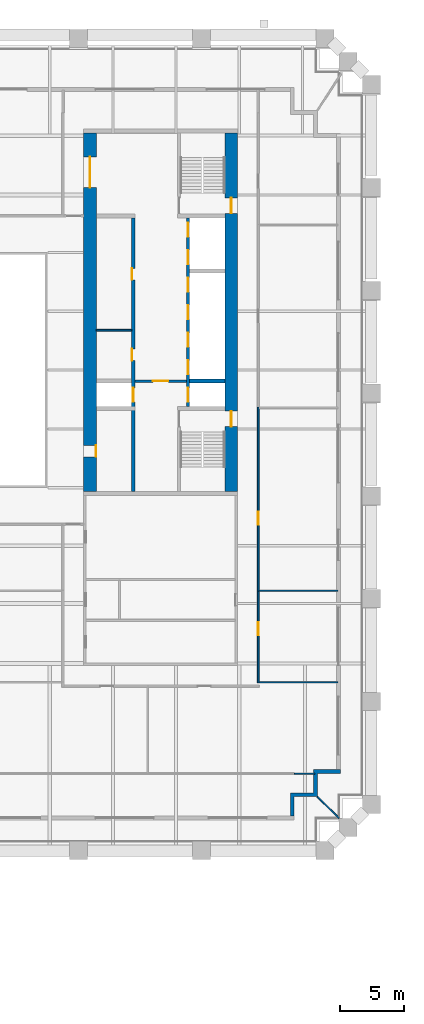
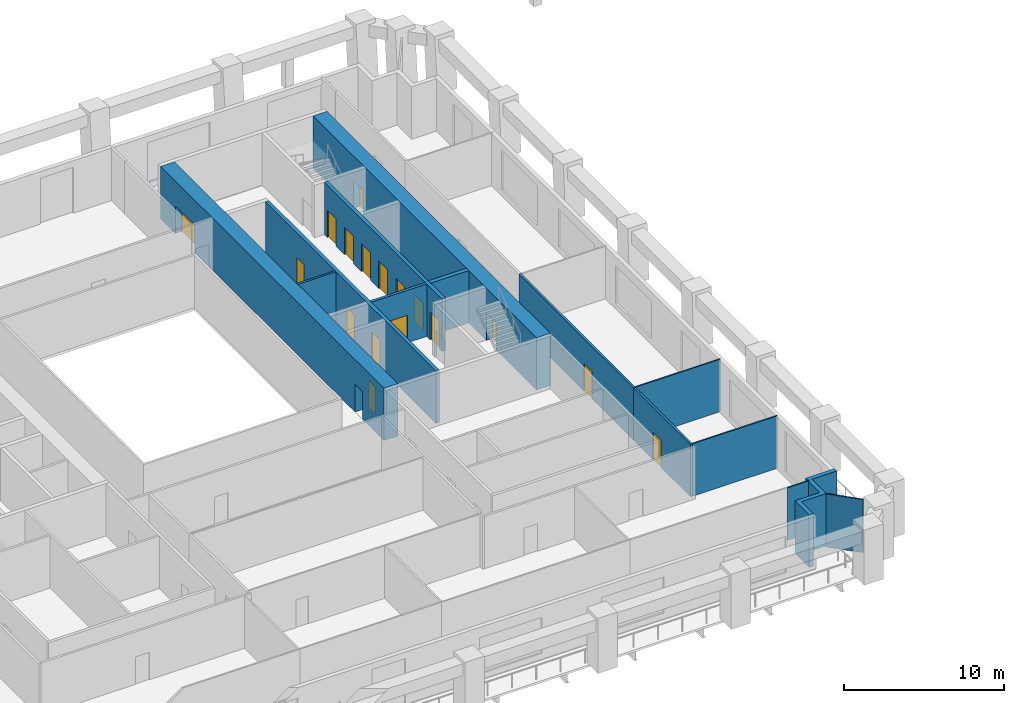
# One storey, part 6 of 10: 17 doors, 14 walls, 17 openings.
"""IFC4 building model written with IfcOpenShell, lengths in metres."""

from ifc_helpers import new_model, si_unit, direction, frame, frame_2d, origin, place, context, subcontext, project, spatial, polyline, rectangle, outline, extrude, material, layer, layer_set, type_object, element, fill, save


model = new_model("IFC4")

# Units and contexts
model_context = context("Model", 3, precision=1e-05, world=origin(), true_north=direction((0.0, 1.0)))
body_context = subcontext(model_context, "Body", "Model", "MODEL_VIEW")
ifc_project = project(units=[si_unit("LENGTHUNIT", "METRE"), si_unit("AREAUNIT", "SQUARE_METRE"), si_unit("VOLUMEUNIT", "CUBIC_METRE"), si_unit("PLANEANGLEUNIT", "RADIAN"), si_unit("MASSUNIT", "GRAM", prefix="KILO")], contexts=[model_context])

# Site, building, storey
site_placement = place(None, origin())
site = spatial("IfcSite", under=ifc_project, at=site_placement, CompositionType="ELEMENT")
building_placement = place(site_placement, origin())
building = spatial("IfcBuilding", under=site, at=building_placement, Name="Ogive Exchange Tower", CompositionType="ELEMENT")
storey_placement = place(building_placement, frame((0.0, 0.0, 48.0)))
storey = spatial("IfcBuildingStorey", under=building, at=storey_placement, Name="L09", CompositionType="ELEMENT", Elevation=48.0)

# Wall
ifc_material_1 = material(Name="Gypsum board partition")
ifc_layer_1 = layer(ifc_material_1, 0.14990234375)
ifc_layer_set_1 = layer_set([ifc_layer_1], Name="Core room partition 150 gypsum")
wall_type_1 = type_object("IfcWallType", Name="Core room partition 150 gypsum", PredefinedType="PARTITIONING", material=ifc_layer_set_1)
wall_1_placement = place(storey_placement, frame((11.0, 10.10009765625, 0.0), z_axis=(0.0, 0.0, 1.0), x_axis=(1.0, 0.0, 0.0)))
element("IfcWall", 1, at=wall_1_placement, inside=storey, type_object=wall_type_1, Name="E row B bay partition 1-1", PredefinedType="PARTITIONING", context=body_context, shape_type="SweptSolid", body=[
    extrude(rectangle(XDim=2.75, YDim=0.14990234375, at=frame_2d((1.375, 0.0))), origin(), (0.0, 0.0, 1.0), 4.0),
])

# Wall, opening, door
ifc_material_2 = material(Name="Fire partition EI 60 150")
ifc_layer_2 = layer(ifc_material_2, 0.14990234375)
ifc_layer_set_2 = layer_set([ifc_layer_2], Name="Fire partition EI 60 150")
wall_type_2 = type_object("IfcWallType", Name="Fire partition EI 60 150", PredefinedType="PARTITIONING", material=ifc_layer_set_2)
wall_2_placement = place(storey_placement, frame((23.60009765625, -10.219970703125, 0.0), z_axis=(0.0, 0.0, 1.0), x_axis=(0.0, -1.0, 0.0)))
wall_2 = element("IfcWall", 2, at=wall_2_placement, inside=storey, type_object=wall_type_2, Name="L09-PWL-038", PredefinedType="PARTITIONING", context=body_context, shape_type="SweptSolid", body=[
    extrude(rectangle(XDim=7.1201171875, YDim=0.14990234375, at=frame_2d((3.56005859375, 0.0))), origin(), (0.0, 0.0, 1.0), 4.0),
])
opening_1_placement = place(wall_2_placement, frame((2.419921875, 0.0, 0.0)))
opening_1 = element("IfcOpeningElement", 3, at=opening_1_placement, cuts=wall_2, Name="Opening L09-I15", PredefinedType="OPENING", context=body_context, shape_type="SweptSolid", body=[
    extrude(rectangle(XDim=1.0, YDim=2.10009765625, at=frame_2d((0.5, 1.050048828125))), frame((0.0, 0.0849609375, 0.0), z_axis=(0.0, -1.0, 0.0), x_axis=(1.0, 0.0, 0.0)), (0.0, 0.0, 1.0), 0.169921875),
])
ifc_material_3 = material(Name="Fire door FD 30S 1000 x 2100")
door_type_1 = type_object("IfcDoorType", Name="Fire door FD 30S 1000 x 2100", OperationType="NOTDEFINED", PredefinedType="DOOR", material=ifc_material_3)
door_1_placement = place(opening_1_placement, origin())
door_1 = element("IfcDoor", 4, at=door_1_placement, inside=storey, type_object=door_type_1, Name="L09-IDR-015", ObjectType="DT3", OperationType="SINGLE_SWING_RIGHT", OverallHeight=2.10009765625, OverallWidth=1.0, PredefinedType="DOOR", context=body_context, shape_type="SweptSolid", body=[
    extrude(rectangle(XDim=1.0, YDim=2.10009765625, at=frame_2d((0.5, 1.050048828125))), frame((0.0, 0.02490234375, 0.0), z_axis=(0.0, -1.0, 0.0), x_axis=(1.0, 0.0, 0.0)), (0.0, 0.0, 1.0), 0.050048828125),
])
fill(opening_1, door_1)

wall_3_placement = place(storey_placement, frame((23.60009765625, 4.110107421875, 0.0), z_axis=(0.0, 0.0, 1.0), x_axis=(0.0, -1.0, 0.0)))
wall_3 = element("IfcWall", 5, at=wall_3_placement, inside=storey, type_object=wall_type_2, Name="L09-PWL-039", PredefinedType="PARTITIONING", context=body_context, shape_type="SweptSolid", body=[
    extrude(rectangle(XDim=14.330078125, YDim=0.14990234375, at=frame_2d((7.1650390625, 0.0))), origin(), (0.0, 0.0, 1.0), 4.0),
])
opening_2_placement = place(wall_3_placement, frame((8.1298828125, 0.0, 0.0)))
opening_2 = element("IfcOpeningElement", 6, at=opening_2_placement, cuts=wall_3, Name="Opening L09-I05", PredefinedType="OPENING", context=body_context, shape_type="SweptSolid", body=[
    extrude(rectangle(XDim=1.0, YDim=2.10009765625, at=frame_2d((0.5, 1.050048828125))), frame((0.0, 0.0849609375, 0.0), z_axis=(0.0, -1.0, 0.0), x_axis=(1.0, 0.0, 0.0)), (0.0, 0.0, 1.0), 0.169921875),
])
door_2_placement = place(opening_2_placement, origin())
door_2 = element("IfcDoor", 7, at=door_2_placement, inside=storey, type_object=door_type_1, Name="L09-IDR-005", ObjectType="DT3", OperationType="SINGLE_SWING_LEFT", OverallHeight=2.10009765625, OverallWidth=1.0, PredefinedType="DOOR", context=body_context, shape_type="SweptSolid", body=[
    extrude(rectangle(XDim=1.0, YDim=2.10009765625, at=frame_2d((0.5, 1.050048828125))), frame((0.0, 0.02490234375, 0.0), z_axis=(0.0, -1.0, 0.0), x_axis=(1.0, 0.0, 0.0)), (0.0, 0.0, 1.0), 0.050048828125),
])
fill(opening_2, door_2)

# Walls
ifc_material_4 = material(Name="Precast concrete C40/50", Category="concrete")
ifc_layer_3 = layer(ifc_material_4, 0.300048828125)
ifc_layer_set_3 = layer_set([ifc_layer_3], Name="Limestone-faced wall 300")
wall_type_3 = type_object("IfcWallType", Name="Limestone-faced wall 300", PredefinedType="STANDARD", material=ifc_layer_set_3)
wall_4_placement = place(storey_placement, origin())
element("IfcWall", 8, at=wall_4_placement, inside=storey, type_object=wall_type_3, Name="External corner wall C1", PredefinedType="STANDARD", context=body_context, shape_type="SweptSolid", body=[
    extrude(outline(polyline([(27.89990234375, -25.89990234375), (27.89990234375, -24.10009765625), (30.0, -24.10009765625), (30.0, -24.39990234375), (28.199951171875, -24.39990234375), (28.199951171875, -26.199951171875), (26.39990234375, -26.199951171875), (26.39990234375, -27.699951171875), (26.10009765625, -27.699951171875), (26.10009765625, -25.89990234375), (27.89990234375, -25.89990234375)])), origin(), (0.0, 0.0, 1.0), 4.0),
])
ifc_material_5 = material(Name="Laminated safety glass in steel frame", Category="steel")
ifc_layer_4 = layer(ifc_material_5, 0.10009765625)
ifc_layer_set_4 = layer_set([ifc_layer_4], Name="Loggia end screen 100")
wall_type_4 = type_object("IfcWallType", Name="Loggia end screen 100", PredefinedType="STANDARD", material=ifc_layer_set_4)
wall_5_placement = place(storey_placement, frame((28.199951171875, -26.199951171875, -0.050048828125), z_axis=(0.0, 0.0, 1.0), x_axis=(0.707106781187, -0.707106781187, 0.0)))
element("IfcWall", 9, at=wall_5_placement, inside=storey, type_object=wall_type_4, Name="Loggia end screen C1", PredefinedType="STANDARD", context=body_context, shape_type="SweptSolid", body=[
    extrude(rectangle(XDim=2.384521484375, YDim=0.10009765625, at=frame_2d((1.1923828125, 0.0))), origin(), (0.0, 0.0, 1.0), 4.050048828125),
])
ifc_material_6 = material(Name="Partition 100 gypsum")
ifc_layer_5 = layer(ifc_material_6, 0.10009765625)
ifc_layer_set_5 = layer_set([ifc_layer_5], Name="Partition 100 gypsum")
wall_type_5 = type_object("IfcWallType", Name="Partition 100 gypsum", PredefinedType="PARTITIONING", material=ifc_layer_set_5)
wall_6_placement = place(storey_placement, frame((26.409912109375, -24.409912109375, 0.0), z_axis=(0.0, 0.0, 1.0), x_axis=(1.0, 0.0, 0.0)))
element("IfcWall", 10, at=wall_6_placement, inside=storey, type_object=wall_type_5, Name="L09-PWL-044", PredefinedType="PARTITIONING", context=body_context, shape_type="SweptSolid", body=[
    extrude(rectangle(XDim=1.590087890625, YDim=0.10009765625, at=frame_2d((0.794921875, 0.0))), origin(), (0.0, 0.0, 1.0), 4.0),
])
for number, where, z_axis, x_axis, name in (
    (11, (29.800048828125, -17.2900390625, 0.0), (0.0, 0.0, 1.0), (-1.0, 0.0, 0.0), "L09-PWL-045"),
    (12, (29.800048828125, -10.169921875, 0.0), (0.0, 0.0, 1.0), (-1.0, 0.0, 0.0), "L09-PWL-046"),
):
    element("IfcWall", number, at=place(storey_placement, frame(where, z_axis=z_axis, x_axis=x_axis)), inside=storey, type_object=wall_type_5, Name=name, PredefinedType="PARTITIONING", context=body_context, shape_type="SweptSolid", body=[
        extrude(rectangle(XDim=6.125, YDim=0.10009765625, at=frame_2d((3.0625, 0.0))), origin(), (0.0, 0.0, 1.0), 4.0),
    ])

# Wall, openings, doors
ifc_material_7 = material(Name="Concrete C70/85", Category="concrete")
ifc_layer_6 = layer(ifc_material_7, 1.0)
ifc_layer_set_6 = layer_set([ifc_layer_6], Name="RC core wall 1000 C70/85")
wall_type_6 = type_object("IfcWallType", Name="RC core wall 1000 C70/85", PredefinedType="SHEAR", material=ifc_layer_set_6)
wall_7_placement = place(storey_placement, frame((21.5, -2.449951171875, 0.0), z_axis=(0.0, 0.0, 1.0), x_axis=(0.0, 1.0, 0.0)))
wall_7 = element("IfcWall", 13, at=wall_7_placement, inside=storey, type_object=wall_type_6, Name="E outer wall", PredefinedType="SHEAR", context=body_context, shape_type="SweptSolid", body=[
    extrude(rectangle(XDim=27.89990234375, YDim=1.0, at=frame_2d((13.949951171875, 0.0))), origin(), (0.0, 0.0, 1.0), 4.0),
])
opening_3_placement = place(wall_7_placement, frame((5.050048828125, 0.0, 0.0)))
opening_3 = element("IfcOpeningElement", 14, at=opening_3_placement, cuts=wall_7, Name="Opening L09-C36", PredefinedType="OPENING", context=body_context, shape_type="SweptSolid", body=[
    extrude(rectangle(XDim=1.199951171875, YDim=2.10009765625, at=frame_2d((0.60009765625, 1.050048828125))), frame((0.0, 0.510009765625, 0.0), z_axis=(0.0, -1.0, 0.0), x_axis=(1.0, 0.0, 0.0)), (0.0, 0.0, 1.0), 1.02001953125),
])
opening_4_placement = place(wall_7_placement, frame((21.64990234375, 0.0, 0.0)))
opening_4 = element("IfcOpeningElement", 15, at=opening_4_placement, cuts=wall_7, Name="Opening L09-C38", PredefinedType="OPENING", context=body_context, shape_type="SweptSolid", body=[
    extrude(rectangle(XDim=1.199951171875, YDim=2.10009765625, at=frame_2d((0.60009765625, 1.050048828125))), frame((0.0, 0.510009765625, 0.0), z_axis=(0.0, -1.0, 0.0), x_axis=(1.0, 0.0, 0.0)), (0.0, 0.0, 1.0), 1.02001953125),
])
ifc_material_8 = material(Name="Steel fire door", Category="steel")
door_type_2 = type_object("IfcDoorType", Name="Stair door FD90 1200 x 2100", OperationType="NOTDEFINED", PredefinedType="DOOR", material=ifc_material_8)
door_3_placement = place(opening_3_placement, origin())
door_3 = element("IfcDoor", 16, at=door_3_placement, inside=storey, type_object=door_type_2, Name="Stair door", ObjectType="CD5", OperationType="SINGLE_SWING_LEFT", OverallHeight=2.10009765625, OverallWidth=1.199951171875, PredefinedType="DOOR", context=body_context, shape_type="SweptSolid", body=[
    extrude(rectangle(XDim=1.199951171875, YDim=2.10009765625, at=frame_2d((0.60009765625, 1.050048828125))), frame((0.0, 0.02490234375, 0.0), z_axis=(0.0, -1.0, 0.0), x_axis=(1.0, 0.0, 0.0)), (0.0, 0.0, 1.0), 0.050048828125),
])
fill(opening_3, door_3)
door_4_placement = place(opening_4_placement, origin())
door_4 = element("IfcDoor", 17, at=door_4_placement, inside=storey, type_object=door_type_2, Name="Stair door", ObjectType="CD5", OperationType="SINGLE_SWING_RIGHT", OverallHeight=2.10009765625, OverallWidth=1.199951171875, PredefinedType="DOOR", context=body_context, shape_type="SweptSolid", body=[
    extrude(rectangle(XDim=1.199951171875, YDim=2.10009765625, at=frame_2d((0.60009765625, 1.050048828125))), frame((0.0, 0.02490234375, 0.0), z_axis=(0.0, -1.0, 0.0), x_axis=(1.0, 0.0, 0.0)), (0.0, 0.0, 1.0), 0.050048828125),
])
fill(opening_4, door_4)

wall_8_placement = place(storey_placement, frame((10.5, -2.449951171875, 0.0), z_axis=(0.0, 0.0, 1.0), x_axis=(0.0, 1.0, 0.0)))
wall_8 = element("IfcWall", 18, at=wall_8_placement, inside=storey, type_object=wall_type_6, Name="E inner wall", PredefinedType="SHEAR", context=body_context, shape_type="SweptSolid", body=[
    extrude(rectangle(XDim=27.89990234375, YDim=1.0, at=frame_2d((13.949951171875, 0.0))), origin(), (0.0, 0.0, 1.0), 4.0),
])
opening_5_placement = place(wall_8_placement, frame((23.64990234375, 0.0, 0.0)))
opening_5 = element("IfcOpeningElement", 19, at=opening_5_placement, cuts=wall_8, Name="Opening L09-C34", PredefinedType="OPENING", context=body_context, shape_type="SweptSolid", body=[
    extrude(rectangle(XDim=2.39990234375, YDim=2.10009765625, at=frame_2d((1.199951171875, 1.050048828125))), frame((0.0, 0.510009765625, 0.0), z_axis=(0.0, -1.0, 0.0), x_axis=(1.0, 0.0, 0.0)), (0.0, 0.0, 1.0), 1.02001953125),
])
opening_6_placement = place(wall_8_placement, frame((2.699951171875, 0.0, 0.0)))
opening_6 = element("IfcOpeningElement", 20, at=opening_6_placement, cuts=wall_8, Name="Opening L09-C39", PredefinedType="OPENING", context=body_context, shape_type="SweptSolid", body=[
    extrude(rectangle(XDim=0.89990234375, YDim=2.10009765625, at=frame_2d((0.449951171875, 1.050048828125))), frame((0.0, 0.510009765625, 0.0), z_axis=(0.0, -1.0, 0.0), x_axis=(1.0, 0.0, 0.0)), (0.0, 0.0, 1.0), 1.02001953125),
])
ifc_material_9 = material(Name="Timber fire door", Category="wood")
door_type_3 = type_object("IfcDoorType", Name="Core room door FD30S 900 x 2100", OperationType="NOTDEFINED", PredefinedType="DOOR", material=ifc_material_9)
door_5_placement = place(opening_6_placement, frame((0.89990234375, -0.9501953125, 0.0), z_axis=(0.0, 0.0, 1.0), x_axis=(-1.0, 0.0, 0.0)))
door_5 = element("IfcDoor", 21, at=door_5_placement, inside=storey, type_object=door_type_3, Name="Core room door", ObjectType="CD6", OperationType="SINGLE_SWING_RIGHT", OverallHeight=2.10009765625, OverallWidth=0.89990234375, PredefinedType="DOOR", context=body_context, shape_type="SweptSolid", body=[
    extrude(rectangle(XDim=0.89990234375, YDim=2.10009765625, at=frame_2d((0.449951171875, 1.050048828125))), frame((0.0, -0.4501953125, 0.0), z_axis=(0.0, -1.0, 0.0), x_axis=(1.0, 0.0, 0.0)), (0.0, 0.0, 1.0), 0.050048828125),
])
fill(opening_6, door_5)
ifc_material_10 = material(Name="Glazed steel fire door", Category="steel")
door_type_4 = type_object("IfcDoorType", Name="Lift lobby double door FD60 2400 x 2100", OperationType="DOUBLE_DOOR_SINGLE_SWING", PredefinedType="DOOR", material=ifc_material_10)
door_6_placement = place(opening_5_placement, frame((2.39990234375, 0.0, 0.0), z_axis=(0.0, 0.0, 1.0), x_axis=(-1.0, 0.0, 0.0)))
door_6 = element("IfcDoor", 22, at=door_6_placement, inside=storey, type_object=door_type_4, Name="Lift lobby double door", ObjectType="CD4", OperationType="DOUBLE_DOOR_SINGLE_SWING", OverallHeight=2.10009765625, OverallWidth=2.39990234375, PredefinedType="DOOR", context=body_context, shape_type="SweptSolid", body=[
    extrude(rectangle(XDim=2.39990234375, YDim=2.10009765625, at=frame_2d((1.199951171875, 1.050048828125))), frame((0.0, 0.02490234375, 0.0), z_axis=(0.0, -1.0, 0.0), x_axis=(1.0, 0.0, 0.0)), (0.0, 0.0, 1.0), 0.050048828125),
])
fill(opening_5, door_6)

# Wall, opening, door
ifc_layer_7 = layer(ifc_material_7, 0.199951171875)
ifc_layer_set_7 = layer_set([ifc_layer_7], Name="RC core wall 200 C70/85")
wall_type_7 = type_object("IfcWallType", Name="RC core wall 200 C70/85", PredefinedType="SHEAR", material=ifc_layer_set_7)
wall_9_placement = place(storey_placement, frame((14.0, 6.142822265625, 0.0), z_axis=(0.0, 0.0, 1.0), x_axis=(1.0, 0.0, 0.0)))
wall_9 = element("IfcWall", 23, at=wall_9_placement, inside=storey, type_object=wall_type_7, Name="E firefighting lobby wall", PredefinedType="SHEAR", context=body_context, shape_type="SweptSolid", body=[
    extrude(rectangle(XDim=4.0, YDim=0.199951171875, at=frame_2d((2.0, 0.0))), origin(), (0.0, 0.0, 1.0), 4.0),
])
opening_7_placement = place(wall_9_placement, frame((1.39990234375, 0.0, 0.0)))
opening_7 = element("IfcOpeningElement", 24, at=opening_7_placement, cuts=wall_9, Name="Opening L09-C33", PredefinedType="OPENING", context=body_context, shape_type="SweptSolid", body=[
    extrude(rectangle(XDim=1.199951171875, YDim=2.10009765625, at=frame_2d((0.60009765625, 1.050048828125))), frame((0.0, 0.10986328125, 0.0), z_axis=(0.0, -1.0, 0.0), x_axis=(1.0, 0.0, 0.0)), (0.0, 0.0, 1.0), 0.219970703125),
])
door_type_5 = type_object("IfcDoorType", Name="Firefighting lobby door FD60 1200 x 2100", OperationType="NOTDEFINED", PredefinedType="DOOR", material=ifc_material_8)
door_7_placement = place(opening_7_placement, frame((1.199951171875, 0.0, 0.0), z_axis=(0.0, 0.0, 1.0), x_axis=(-1.0, 0.0, 0.0)))
door_7 = element("IfcDoor", 25, at=door_7_placement, inside=storey, type_object=door_type_5, Name="Firefighting lobby door", ObjectType="CD3", OperationType="SINGLE_SWING_RIGHT", OverallHeight=2.10009765625, OverallWidth=1.199951171875, PredefinedType="DOOR", context=body_context, shape_type="SweptSolid", body=[
    extrude(rectangle(XDim=1.199951171875, YDim=2.10009765625, at=frame_2d((0.60009765625, 1.050048828125))), frame((0.0, 0.02490234375, 0.0), z_axis=(0.0, -1.0, 0.0), x_axis=(1.0, 0.0, 0.0)), (0.0, 0.0, 1.0), 0.050048828125),
])
fill(opening_7, door_7)

# Wall, openings, doors
ifc_layer_8 = layer(ifc_material_7, 0.25)
ifc_layer_set_8 = layer_set([ifc_layer_8], Name="RC core wall 250 C70/85")
wall_type_8 = type_object("IfcWallType", Name="RC core wall 250 C70/85", PredefinedType="SHEAR", material=ifc_layer_set_8)
wall_10_placement = place(storey_placement, frame((18.125, 4.14990234375, 0.0), z_axis=(0.0, 0.0, 1.0), x_axis=(0.0, 1.0, 0.0)))
wall_10 = element("IfcWall", 26, at=wall_10_placement, inside=storey, type_object=wall_type_8, Name="E row A front wall", PredefinedType="SHEAR", context=body_context, shape_type="SweptSolid", body=[
    extrude(rectangle(XDim=14.7001953125, YDim=0.25, at=frame_2d((7.35009765625, 0.0))), origin(), (0.0, 0.0, 1.0), 4.0),
])
opening_8_placement = place(wall_10_placement, frame((0.371337890625, 0.0, 0.0)))
opening_8 = element("IfcOpeningElement", 27, at=opening_8_placement, cuts=wall_10, Name="Opening L09-C23", PredefinedType="OPENING", context=body_context, shape_type="SweptSolid", body=[
    extrude(rectangle(XDim=1.10009765625, YDim=2.10009765625, at=frame_2d((0.550048828125, 1.050048828125))), frame((0.0, 0.135009765625, 0.0), z_axis=(0.0, -1.0, 0.0), x_axis=(1.0, 0.0, 0.0)), (0.0, 0.0, 1.0), 0.27001953125),
])
opening_9_placement = place(wall_10_placement, frame((2.514404296875, 0.0, 0.0)))
opening_9 = element("IfcOpeningElement", 28, at=opening_9_placement, cuts=wall_10, Name="Opening L09-C24", PredefinedType="OPENING", context=body_context, shape_type="SweptSolid", body=[
    extrude(rectangle(XDim=1.10009765625, YDim=2.10009765625, at=frame_2d((0.550048828125, 1.050048828125))), frame((0.0, 0.135009765625, 0.0), z_axis=(0.0, -1.0, 0.0), x_axis=(1.0, 0.0, 0.0)), (0.0, 0.0, 1.0), 0.27001953125),
])
opening_10_placement = place(wall_10_placement, frame((4.656982421875, 0.0, 0.0)))
opening_10 = element("IfcOpeningElement", 29, at=opening_10_placement, cuts=wall_10, Name="Opening L09-C25", PredefinedType="OPENING", context=body_context, shape_type="SweptSolid", body=[
    extrude(rectangle(XDim=1.10009765625, YDim=2.10009765625, at=frame_2d((0.550048828125, 1.050048828125))), frame((0.0, 0.135009765625, 0.0), z_axis=(0.0, -1.0, 0.0), x_axis=(1.0, 0.0, 0.0)), (0.0, 0.0, 1.0), 0.27001953125),
])
opening_11_placement = place(wall_10_placement, frame((6.800048828125, 0.0, 0.0)))
opening_11 = element("IfcOpeningElement", 30, at=opening_11_placement, cuts=wall_10, Name="Opening L09-C26", PredefinedType="OPENING", context=body_context, shape_type="SweptSolid", body=[
    extrude(rectangle(XDim=1.10009765625, YDim=2.10009765625, at=frame_2d((0.550048828125, 1.050048828125))), frame((0.0, 0.135009765625, 0.0), z_axis=(0.0, -1.0, 0.0), x_axis=(1.0, 0.0, 0.0)), (0.0, 0.0, 1.0), 0.27001953125),
])
opening_12_placement = place(wall_10_placement, frame((8.94287109375, 0.0, 0.0)))
opening_12 = element("IfcOpeningElement", 31, at=opening_12_placement, cuts=wall_10, Name="Opening L09-C27", PredefinedType="OPENING", context=body_context, shape_type="SweptSolid", body=[
    extrude(rectangle(XDim=1.10009765625, YDim=2.10009765625, at=frame_2d((0.550048828125, 1.050048828125))), frame((0.0, 0.135009765625, 0.0), z_axis=(0.0, -1.0, 0.0), x_axis=(1.0, 0.0, 0.0)), (0.0, 0.0, 1.0), 0.27001953125),
])
opening_13_placement = place(wall_10_placement, frame((11.085693359375, 0.0, 0.0)))
opening_13 = element("IfcOpeningElement", 32, at=opening_13_placement, cuts=wall_10, Name="Opening L09-C28", PredefinedType="OPENING", context=body_context, shape_type="SweptSolid", body=[
    extrude(rectangle(XDim=1.10009765625, YDim=2.10009765625, at=frame_2d((0.550048828125, 1.050048828125))), frame((0.0, 0.135009765625, 0.0), z_axis=(0.0, -1.0, 0.0), x_axis=(1.0, 0.0, 0.0)), (0.0, 0.0, 1.0), 0.27001953125),
])
opening_14_placement = place(wall_10_placement, frame((13.228515625, 0.0, 0.0)))
opening_14 = element("IfcOpeningElement", 33, at=opening_14_placement, cuts=wall_10, Name="Opening L09-C29", PredefinedType="OPENING", context=body_context, shape_type="SweptSolid", body=[
    extrude(rectangle(XDim=1.10009765625, YDim=2.10009765625, at=frame_2d((0.550048828125, 1.050048828125))), frame((0.0, 0.135009765625, 0.0), z_axis=(0.0, -1.0, 0.0), x_axis=(1.0, 0.0, 0.0)), (0.0, 0.0, 1.0), 0.27001953125),
])
ifc_material_11 = material(Name="Stainless steel", Category="steel")
door_type_6 = type_object("IfcDoorType", Name="Lift landing door FD90 1100 x 2100", OperationType="SLIDING_TO_LEFT", PredefinedType="DOOR", material=ifc_material_11)
door_8_placement = place(opening_8_placement, origin())
door_8 = element("IfcDoor", 34, at=door_8_placement, inside=storey, type_object=door_type_6, Name="Lift landing door FF2", ObjectType="LD", OperationType="SLIDING_TO_LEFT", OverallHeight=2.10009765625, OverallWidth=1.10009765625, PredefinedType="DOOR", context=body_context, shape_type="SweptSolid", body=[
    extrude(rectangle(XDim=1.10009765625, YDim=2.10009765625, at=frame_2d((0.550048828125, 1.050048828125))), frame((0.0, 0.02490234375, 0.0), z_axis=(0.0, -1.0, 0.0), x_axis=(1.0, 0.0, 0.0)), (0.0, 0.0, 1.0), 0.050048828125),
])
fill(opening_8, door_8)
door_9_placement = place(opening_9_placement, origin())
door_9 = element("IfcDoor", 35, at=door_9_placement, inside=storey, type_object=door_type_6, Name="Lift landing door E-L1", ObjectType="LD", OperationType="SLIDING_TO_LEFT", OverallHeight=2.10009765625, OverallWidth=1.10009765625, PredefinedType="DOOR", context=body_context, shape_type="SweptSolid", body=[
    extrude(rectangle(XDim=1.10009765625, YDim=2.10009765625, at=frame_2d((0.550048828125, 1.050048828125))), frame((0.0, 0.02490234375, 0.0), z_axis=(0.0, -1.0, 0.0), x_axis=(1.0, 0.0, 0.0)), (0.0, 0.0, 1.0), 0.050048828125),
])
fill(opening_9, door_9)
door_10_placement = place(opening_10_placement, origin())
door_10 = element("IfcDoor", 36, at=door_10_placement, inside=storey, type_object=door_type_6, Name="Lift landing door E-L2", ObjectType="LD", OperationType="SLIDING_TO_LEFT", OverallHeight=2.10009765625, OverallWidth=1.10009765625, PredefinedType="DOOR", context=body_context, shape_type="SweptSolid", body=[
    extrude(rectangle(XDim=1.10009765625, YDim=2.10009765625, at=frame_2d((0.550048828125, 1.050048828125))), frame((0.0, 0.02490234375, 0.0), z_axis=(0.0, -1.0, 0.0), x_axis=(1.0, 0.0, 0.0)), (0.0, 0.0, 1.0), 0.050048828125),
])
fill(opening_10, door_10)
door_11_placement = place(opening_11_placement, origin())
door_11 = element("IfcDoor", 37, at=door_11_placement, inside=storey, type_object=door_type_6, Name="Lift landing door E-L3", ObjectType="LD", OperationType="SLIDING_TO_LEFT", OverallHeight=2.10009765625, OverallWidth=1.10009765625, PredefinedType="DOOR", context=body_context, shape_type="SweptSolid", body=[
    extrude(rectangle(XDim=1.10009765625, YDim=2.10009765625, at=frame_2d((0.550048828125, 1.050048828125))), frame((0.0, 0.02490234375, 0.0), z_axis=(0.0, -1.0, 0.0), x_axis=(1.0, 0.0, 0.0)), (0.0, 0.0, 1.0), 0.050048828125),
])
fill(opening_11, door_11)
door_12_placement = place(opening_12_placement, origin())
door_12 = element("IfcDoor", 38, at=door_12_placement, inside=storey, type_object=door_type_6, Name="Lift landing door E-L4", ObjectType="LD", OperationType="SLIDING_TO_LEFT", OverallHeight=2.10009765625, OverallWidth=1.10009765625, PredefinedType="DOOR", context=body_context, shape_type="SweptSolid", body=[
    extrude(rectangle(XDim=1.10009765625, YDim=2.10009765625, at=frame_2d((0.550048828125, 1.050048828125))), frame((0.0, 0.02490234375, 0.0), z_axis=(0.0, -1.0, 0.0), x_axis=(1.0, 0.0, 0.0)), (0.0, 0.0, 1.0), 0.050048828125),
])
fill(opening_12, door_12)
door_13_placement = place(opening_13_placement, origin())
door_13 = element("IfcDoor", 39, at=door_13_placement, inside=storey, type_object=door_type_6, Name="Lift landing door E-SH1", ObjectType="LD", OperationType="SLIDING_TO_LEFT", OverallHeight=2.10009765625, OverallWidth=1.10009765625, PredefinedType="DOOR", context=body_context, shape_type="SweptSolid", body=[
    extrude(rectangle(XDim=1.10009765625, YDim=2.10009765625, at=frame_2d((0.550048828125, 1.050048828125))), frame((0.0, 0.02490234375, 0.0), z_axis=(0.0, -1.0, 0.0), x_axis=(1.0, 0.0, 0.0)), (0.0, 0.0, 1.0), 0.050048828125),
])
fill(opening_13, door_13)
door_14_placement = place(opening_14_placement, origin())
door_14 = element("IfcDoor", 40, at=door_14_placement, inside=storey, type_object=door_type_6, Name="Lift landing door E-SH2", ObjectType="LD", OperationType="SLIDING_TO_LEFT", OverallHeight=2.10009765625, OverallWidth=1.10009765625, PredefinedType="DOOR", context=body_context, shape_type="SweptSolid", body=[
    extrude(rectangle(XDim=1.10009765625, YDim=2.10009765625, at=frame_2d((0.550048828125, 1.050048828125))), frame((0.0, 0.02490234375, 0.0), z_axis=(0.0, -1.0, 0.0), x_axis=(1.0, 0.0, 0.0)), (0.0, 0.0, 1.0), 0.050048828125),
])
fill(opening_14, door_14)

wall_11_placement = place(storey_placement, frame((13.875, -2.449951171875, 0.0), z_axis=(0.0, 0.0, 1.0), x_axis=(0.0, 1.0, 0.0)))
wall_11 = element("IfcWall", 41, at=wall_11_placement, inside=storey, type_object=wall_type_8, Name="E row B front wall", PredefinedType="SHEAR", context=body_context, shape_type="SweptSolid", body=[
    extrude(rectangle(XDim=21.300048828125, YDim=0.25, at=frame_2d((10.64990234375, 0.0))), origin(), (0.0, 0.0, 1.0), 4.0),
])
opening_15_placement = place(wall_11_placement, frame((10.1962890625, 0.0, 0.0)))
opening_15 = element("IfcOpeningElement", 42, at=opening_15_placement, cuts=wall_11, Name="Opening L09-C30", PredefinedType="OPENING", context=body_context, shape_type="SweptSolid", body=[
    extrude(rectangle(XDim=0.89990234375, YDim=2.10009765625, at=frame_2d((0.449951171875, 1.050048828125))), frame((0.0, 0.135009765625, 0.0), z_axis=(0.0, -1.0, 0.0), x_axis=(1.0, 0.0, 0.0)), (0.0, 0.0, 1.0), 0.27001953125),
])
opening_16_placement = place(wall_11_placement, frame((16.47509765625, 0.0, 0.0)))
opening_16 = element("IfcOpeningElement", 43, at=opening_16_placement, cuts=wall_11, Name="Opening L09-C31", PredefinedType="OPENING", context=body_context, shape_type="SweptSolid", body=[
    extrude(rectangle(XDim=0.89990234375, YDim=2.10009765625, at=frame_2d((0.449951171875, 1.050048828125))), frame((0.0, 0.135009765625, 0.0), z_axis=(0.0, -1.0, 0.0), x_axis=(1.0, 0.0, 0.0)), (0.0, 0.0, 1.0), 0.27001953125),
])
opening_17_placement = place(wall_11_placement, frame((6.971435546875, 0.0, 0.0)))
opening_17 = element("IfcOpeningElement", 44, at=opening_17_placement, cuts=wall_11, Name="Opening L09-C32", PredefinedType="OPENING", context=body_context, shape_type="SweptSolid", body=[
    extrude(rectangle(XDim=1.10009765625, YDim=2.10009765625, at=frame_2d((0.550048828125, 1.050048828125))), frame((0.0, 0.135009765625, 0.0), z_axis=(0.0, -1.0, 0.0), x_axis=(1.0, 0.0, 0.0)), (0.0, 0.0, 1.0), 0.27001953125),
])
door_15_placement = place(opening_17_placement, origin())
door_15 = element("IfcDoor", 45, at=door_15_placement, inside=storey, type_object=door_type_6, Name="Lift landing door SV2", ObjectType="LD", OperationType="SLIDING_TO_LEFT", OverallHeight=2.10009765625, OverallWidth=1.10009765625, PredefinedType="DOOR", context=body_context, shape_type="SweptSolid", body=[
    extrude(rectangle(XDim=1.10009765625, YDim=2.10009765625, at=frame_2d((0.550048828125, 1.050048828125))), frame((0.0, 0.02490234375, 0.0), z_axis=(0.0, -1.0, 0.0), x_axis=(1.0, 0.0, 0.0)), (0.0, 0.0, 1.0), 0.050048828125),
])
fill(opening_17, door_15)
door_type_7 = type_object("IfcDoorType", Name="Riser door FD60 900 x 2100", OperationType="NOTDEFINED", PredefinedType="DOOR", material=ifc_material_8)
door_16_placement = place(opening_15_placement, origin())
door_16 = element("IfcDoor", 46, at=door_16_placement, inside=storey, type_object=door_type_7, Name="Riser door", ObjectType="CD2", OperationType="SINGLE_SWING_LEFT", OverallHeight=2.10009765625, OverallWidth=0.89990234375, PredefinedType="DOOR", context=body_context, shape_type="SweptSolid", body=[
    extrude(rectangle(XDim=0.89990234375, YDim=2.10009765625, at=frame_2d((0.449951171875, 1.050048828125))), frame((0.0, 0.125, 0.0), z_axis=(0.0, -1.0, 0.0), x_axis=(1.0, 0.0, 0.0)), (0.0, 0.0, 1.0), 0.050048828125),
])
fill(opening_15, door_16)
door_17_placement = place(opening_16_placement, origin())
door_17 = element("IfcDoor", 47, at=door_17_placement, inside=storey, type_object=door_type_7, Name="Riser door", ObjectType="CD2", OperationType="SINGLE_SWING_LEFT", OverallHeight=2.10009765625, OverallWidth=0.89990234375, PredefinedType="DOOR", context=body_context, shape_type="SweptSolid", body=[
    extrude(rectangle(XDim=0.89990234375, YDim=2.10009765625, at=frame_2d((0.449951171875, 1.050048828125))), frame((0.0, 0.125, 0.0), z_axis=(0.0, -1.0, 0.0), x_axis=(1.0, 0.0, 0.0)), (0.0, 0.0, 1.0), 0.050048828125),
])
fill(opening_16, door_17)

# Wall
ifc_layer_9 = layer(ifc_material_7, 0.300048828125)
ifc_layer_set_9 = layer_set([ifc_layer_9], Name="RC core wall 300 C70/85")
wall_type_9 = type_object("IfcWallType", Name="RC core wall 300 C70/85", PredefinedType="SHEAR", material=ifc_layer_set_9)
wall_12_placement = place(storey_placement, frame((18.25, 6.142822265625, 0.0), z_axis=(0.0, 0.0, 1.0), x_axis=(1.0, 0.0, 0.0)))
element("IfcWall", 48, at=wall_12_placement, inside=storey, type_object=wall_type_9, Name="E row A divider 1", PredefinedType="SHEAR", context=body_context, shape_type="SweptSolid", body=[
    extrude(rectangle(XDim=2.75, YDim=0.300048828125, at=frame_2d((1.375, 0.0))), origin(), (0.0, 0.0, 1.0), 4.0),
])

save(model, "model.ifc")
